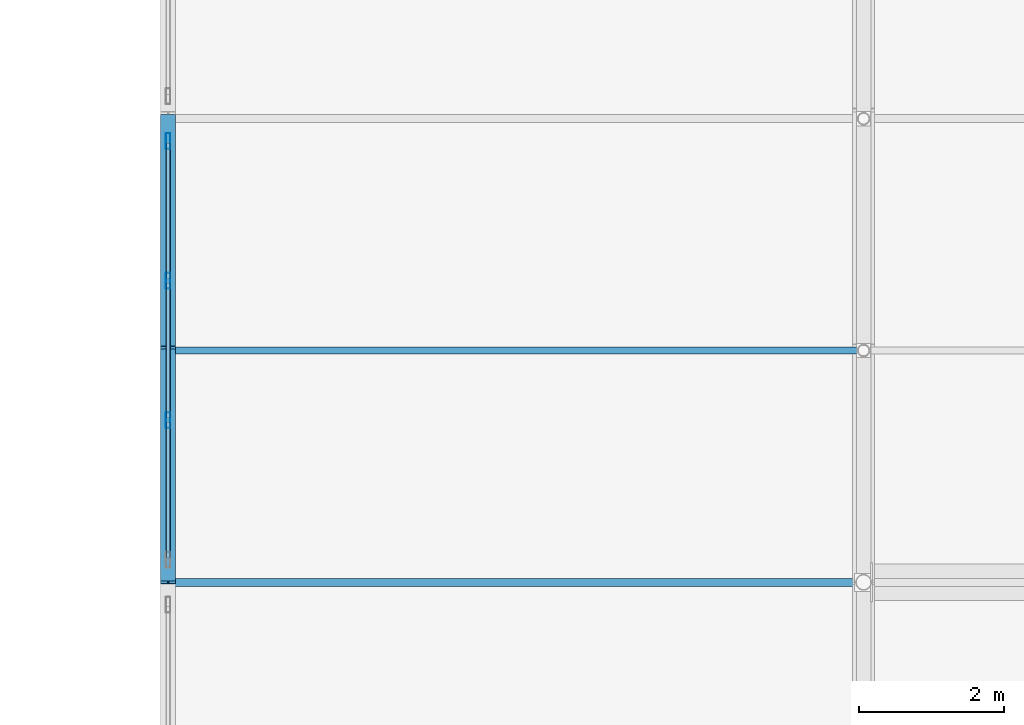
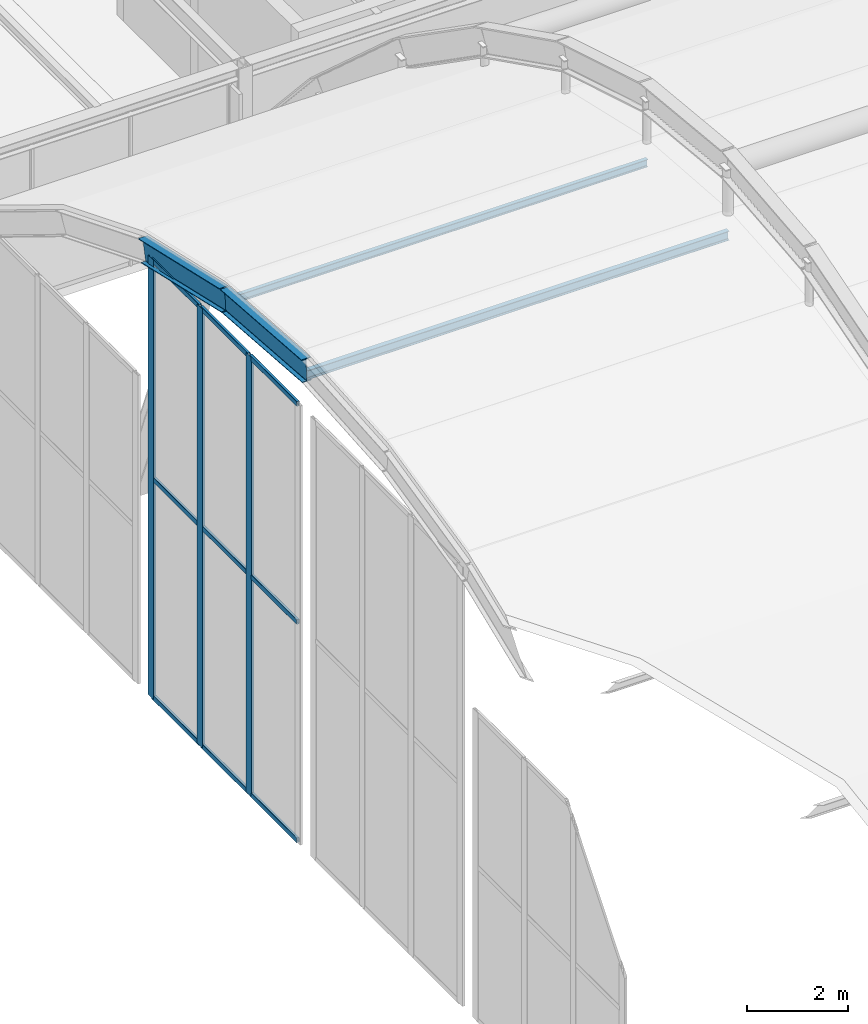
# One storey, part 42 of 126: 14 members, 2 beams, 1 element without a shape of its own.
"""IFC4 building model written with IfcOpenShell, lengths in metres."""

import ifcopenshell
import ifcopenshell.guid

model = None  # the IFC model being written
_history = None  # IfcOwnerHistory: only IFC2X3 demands one
_inside = {}  # id of a spatial element -> (the spatial element, [elements in it])
_under = {}  # id of a project, library or spatial element -> (it, [spatial elements below it])
_declared = {}  # id of a project -> (the project, [libraries it declares])
_typed = {}  # id of a type object -> (the type object, [elements of that type])
_made_of = {}  # id of a material, layer set ... -> (it, [elements and type objects made of it])


def new_model(schema):
    """Start an empty IFC model of exactly this schema.

    Asked for "IFC4X3", IfcOpenShell would pick the latest addendum, in which some entities
    have other attributes; the version numbers below select the first issue.
    IFC2X3 requires an IfcOwnerHistory on every rooted entity: one is made here for all.
    """
    global model, _history
    if schema == "IFC4X3":
        model = ifcopenshell.file(schema_version=(4, 3, 0, 0))
    else:
        model = ifcopenshell.file(schema=schema)
    _inside.clear()
    _under.clear()
    _declared.clear()
    _typed.clear()
    _made_of.clear()
    _history = None
    if model.schema == "IFC2X3":
        org = make("IfcOrganization", Name="unknown")
        user = make(
            "IfcPersonAndOrganization",
            ThePerson=make("IfcPerson", FamilyName="unknown"),
            TheOrganization=org,
        )
        app = make(
            "IfcApplication",
            ApplicationDeveloper=org,
            Version="unknown",
            ApplicationFullName="unknown",
            ApplicationIdentifier="unknown",
        )
        _history = make(
            "IfcOwnerHistory",
            OwningUser=user,
            OwningApplication=app,
            ChangeAction="ADDED",
            CreationDate=0,
        )
    return model


def make(cls, **values):
    """One entity of the class cls with the attributes given. An attribute that is None is left unset."""
    return model.create_entity(
        cls, **{name: value for name, value in values.items() if value is not None}
    )


def rooted(cls, **values):
    """An entity with a GlobalId (a new one), such as an element, a storey or a relation."""
    return make(cls, GlobalId=ifcopenshell.guid.new(), OwnerHistory=_history, **values)


def si_unit(unit_type, name, prefix=None):
    """IfcSIUnit, for example si_unit("LENGTHUNIT", "METRE", prefix="MILLI")."""
    return make("IfcSIUnit", UnitType=unit_type, Prefix=prefix, Name=name)


def assignment(units):
    """IfcUnitAssignment: the units of a project."""
    return None if units is None else make("IfcUnitAssignment", Units=units)


def point(xyz):
    """IfcCartesianPoint."""
    return None if xyz is None else make("IfcCartesianPoint", Coordinates=xyz)


def direction(xyz):
    """IfcDirection."""
    return None if xyz is None else make("IfcDirection", DirectionRatios=xyz)


def frame(location, z_axis=None, x_axis=None):
    """IfcAxis2Placement3D, a coordinate frame: its origin and axes. An axis left out is left unset."""
    return make(
        "IfcAxis2Placement3D",
        Location=point(location),
        Axis=direction(z_axis),
        RefDirection=direction(x_axis),
    )


def frame_2d(location, x_axis=None):
    """IfcAxis2Placement2D, a coordinate frame in the plane: its origin and x axis."""
    return make(
        "IfcAxis2Placement2D", Location=point(location), RefDirection=direction(x_axis)
    )


def origin():
    """The frame at (0, 0, 0) with its axes left unset."""
    return frame((0.0, 0.0, 0.0))


def origin_2d():
    """The frame at (0, 0) in the plane with its x axis left unset."""
    return frame_2d((0.0, 0.0))


def place(relative_to, where):
    """IfcLocalPlacement: puts the frame where relative to a parent placement (None: the world)."""
    return make(
        "IfcLocalPlacement", PlacementRelTo=relative_to, RelativePlacement=where
    )


def context(
    kind, dimensions, precision=None, world=None, true_north=None, identifier=None
):
    """IfcGeometricRepresentationContext, for example the 3D "Model" context."""
    return make(
        "IfcGeometricRepresentationContext",
        ContextIdentifier=identifier,
        ContextType=kind,
        CoordinateSpaceDimension=dimensions,
        Precision=precision,
        WorldCoordinateSystem=world,
        TrueNorth=true_north,
    )


def subcontext(parent, identifier, kind, view, scale=None):
    """IfcGeometricRepresentationSubContext, for example "Body" below "Model"."""
    return make(
        "IfcGeometricRepresentationSubContext",
        ContextIdentifier=identifier,
        ContextType=kind,
        ParentContext=parent,
        TargetScale=scale,
        TargetView=view,
    )


def project(units=None, contexts=None):
    """IfcProject with its units and contexts."""
    return rooted(
        "IfcProject",
        Name="project",
        RepresentationContexts=contexts,
        UnitsInContext=assignment(units),
    )


def spatial(cls, under=None, at=None, **own):
    """A site, building, storey or space (cls), placed at a placement, below another one or the project."""
    s = rooted(cls, ObjectPlacement=at, **own)
    if under is not None:
        _under.setdefault(under.id(), (under, []))[1].append(s)
    return s


def profile(cls, at=None, kind="AREA", **sizes):
    """A parametric profile (cls). Its sizes go by their IFC names, for example OverallWidth=200.0."""
    return make(cls, ProfileType=kind, Position=at, **sizes)


def hollow_rectangle(**sizes):
    """IfcRectangleHollowProfileDef."""
    return profile("IfcRectangleHollowProfileDef", **sizes)


def i_section(**sizes):
    """IfcIShapeProfileDef."""
    return profile("IfcIShapeProfileDef", **sizes)


def extrude(swept, where, along, depth):
    """IfcExtrudedAreaSolid: the profile swept, set in the frame where, extruded along a direction by depth."""
    return make(
        "IfcExtrudedAreaSolid",
        SweptArea=swept,
        Position=where,
        ExtrudedDirection=direction(along),
        Depth=depth,
    )


def shape(context_of_items, identifier, shape_type, items):
    """IfcShapeRepresentation: the items that make up one representation, for example the "Body"."""
    return make(
        "IfcShapeRepresentation",
        ContextOfItems=context_of_items,
        RepresentationIdentifier=identifier,
        RepresentationType=shape_type,
        Items=items,
    )


def material(Name=None, Category=None):
    """IfcMaterial."""
    return make("IfcMaterial", Name=Name, Category=Category)


def material_profile(
    of_material, cross_section, Name=None, Category=None, Priority=None
):
    """IfcMaterialProfile: a cross section and its material."""
    return make(
        "IfcMaterialProfile",
        Name=Name,
        Material=of_material,
        Profile=cross_section,
        Priority=Priority,
        Category=Category,
    )


def profile_set(profiles, Name=None, composite=None):
    """IfcMaterialProfileSet."""
    return make(
        "IfcMaterialProfileSet",
        Name=Name,
        MaterialProfiles=profiles,
        CompositeProfile=composite,
    )


def made_of(thing, what):
    """Note that an element or type object is made of a material, layer set ...; save() writes the relation."""
    if what is not None:
        _made_of.setdefault(what.id(), (what, []))[1].append(thing)
    return thing


def type_object(cls, material=None, **own):
    """A type object (cls), such as IfcWallType, which elements share."""
    return made_of(rooted(cls, **own), material)


def element(
    cls,
    number,
    at=None,
    inside=None,
    cuts=None,
    type_object=None,
    material=None,
    context=None,
    identifier="Body",
    shape_type=None,
    held_by="IfcProductDefinitionShape",
    body=None,
    shapes=None,
    **own,
):
    """One element of the class cls, such as IfcWall. Its Tag is "e" and its number.

    at: its placement. inside: the storey or other place that contains it. cuts: it is an
    opening in that element (IfcRelVoidsElement). A single representation is given by context,
    identifier, shape_type and body (its items); several are given by shapes. held_by: the class
    of the entity that holds the representations. save() writes the other relations.
    """
    e = rooted(cls, Tag="e%d" % number, ObjectPlacement=at, **own)
    if body is not None:
        shapes = [shape(context, identifier, shape_type, body)]
    if shapes is not None:
        e.Representation = make(held_by, Representations=shapes)
    if inside is not None:
        _inside.setdefault(inside.id(), (inside, []))[1].append(e)
    if cuts is not None:
        rooted(
            "IfcRelVoidsElement", RelatingBuildingElement=cuts, RelatedOpeningElement=e
        )
    if type_object is not None:
        _typed.setdefault(type_object.id(), (type_object, []))[1].append(e)
    return made_of(e, material)


def aggregate(whole, parts):
    """IfcRelAggregates: a whole, such as a stair, and the parts it consists of."""
    return rooted("IfcRelAggregates", RelatingObject=whole, RelatedObjects=parts)


def save(model, path):
    """Write the relations noted so far, then the file.

    IfcRelAggregates (storeys below a building ...), IfcRelContainedInSpatialStructure (elements
    in a storey), IfcRelDefinesByType, IfcRelAssociatesMaterial and IfcRelDeclares: one each for
    every whole, place, type object, material and project.
    """
    for whole, parts in _under.values():
        aggregate(whole, parts)
    for where, things in _inside.values():
        rooted(
            "IfcRelContainedInSpatialStructure",
            RelatedElements=things,
            RelatingStructure=where,
        )
    for kind, things in _typed.values():
        rooted("IfcRelDefinesByType", RelatedObjects=things, RelatingType=kind)
    for what, things in _made_of.values():
        rooted("IfcRelAssociatesMaterial", RelatedObjects=things, RelatingMaterial=what)
    for by, libraries in _declared.values():
        rooted("IfcRelDeclares", RelatingContext=by, RelatedDefinitions=libraries)
    model.write(path)


model = new_model("IFC4")

# Units and contexts
model_context = context("Model", 3, precision=1e-05, world=origin(), true_north=direction((0.0, 1.0)))
body_context = subcontext(model_context, "Body", "Model", "MODEL_VIEW")
ifc_project = project(units=[si_unit("LENGTHUNIT", "METRE"), si_unit("AREAUNIT", "SQUARE_METRE"), si_unit("VOLUMEUNIT", "CUBIC_METRE"), si_unit("PLANEANGLEUNIT", "RADIAN"), si_unit("MASSUNIT", "GRAM", prefix="KILO")], contexts=[model_context])

# Site, building, storey
site_placement = place(None, origin())
site = spatial("IfcSite", under=ifc_project, at=site_placement, CompositionType="ELEMENT")
building_placement = place(site_placement, origin())
building = spatial("IfcBuilding", under=site, at=building_placement, Name="Coralgate Yard Interchange", CompositionType="ELEMENT")
storey_placement = place(building_placement, frame((0.0, 0.0, 10.5)))
storey = spatial("IfcBuildingStorey", under=building, at=storey_placement, Name="L02", CompositionType="ELEMENT", Elevation=10.5)

# Beams
ifc_material_1 = material(Name="Weather-coated structural steel S355J2", Category="steel")
ifc_material_profile_1 = material_profile(ifc_material_1, i_section(OverallWidth=0.209228515625, OverallDepth=0.533203125, WebThickness=0.010009765625, FlangeThickness=0.015625, FilletRadius=0.0126953125, at=origin_2d()), Name="UB 533x210x92")
ifc_profile_set_1 = profile_set([ifc_material_profile_1], Name="Weather-coated structural steel S355J2")
beam_type = type_object("IfcBeamType", Name="BM-VR-1", PredefinedType="BEAM", material=ifc_profile_set_1)
beam_1_placement = place(storey_placement, frame((38.39990234375, 57.60009765625, 11.558349609375), z_axis=(0.0, 0.997210788487, -0.074636742466), x_axis=(-1.0, 0.0, 0.0)))
element("IfcBeam", 1, at=beam_1_placement, inside=storey, type_object=beam_type, Name="Barrel-vault gridshell rib 1 seg 7", PredefinedType="BEAM", context=body_context, shape_type="SweptSolid", body=[
    extrude(i_section(OverallWidth=0.209228515625, OverallDepth=0.533203125, WebThickness=0.010009765625, FlangeThickness=0.015625, FilletRadius=0.0126953125, at=origin_2d()), origin(), (0.0, 0.0, 1.0), 3.208984375),
])
beam_2_placement = place(storey_placement, frame((38.39990234375, 60.800048828125, 11.31884765625), z_axis=(0.0, 0.974597563071, -0.223963367664), x_axis=(-1.0, 0.0, 0.0)))
element("IfcBeam", 2, at=beam_2_placement, inside=storey, type_object=beam_type, Name="Barrel-vault gridshell rib 1 seg 8", PredefinedType="BEAM", context=body_context, shape_type="SweptSolid", body=[
    extrude(i_section(OverallWidth=0.209228515625, OverallDepth=0.533203125, WebThickness=0.010009765625, FlangeThickness=0.015625, FilletRadius=0.0126953125, at=origin_2d()), origin(), (0.0, 0.0, 1.0), 3.283447265625),
])

# Curtain wall, members
ifc_material_2 = material(Name="Anodised coastal aluminium and solar-control low-E glass", Category="aluminium")
curtain_wall_type = type_object("IfcCurtainWallType", Name="CW-CW-VLT-3", PredefinedType="NOTDEFINED", material=ifc_material_2)
curtain_wall_placement = place(storey_placement, origin())
curtain_wall = element("IfcCurtainWall", 3, at=curtain_wall_placement, inside=storey, type_object=curtain_wall_type, Name="L02 unitised curtain wall CW-VAULT-W-4", PredefinedType="NOTDEFINED")
ifc_material_3 = material(Name="Anodised coastal aluminium 6063-T6", Category="aluminium")
ifc_material_profile_2 = material_profile(ifc_material_3, hollow_rectangle(XDim=0.06005859375, YDim=0.219970703125, WallThickness=0.00390625, InnerFilletRadius=0.00390625, OuterFilletRadius=0.008056640625, at=origin_2d()), Name="ALU 60x220x4")
ifc_profile_set_2 = profile_set([ifc_material_profile_2], Name="Anodised coastal aluminium 6063-T6")
member_type_1 = type_object("IfcMemberType", Name="MB-MUL-220", PredefinedType="MULLION", material=ifc_profile_set_2)
member_1_placement = place(storey_placement, frame((38.39990234375, 59.836669921875, 0.0), z_axis=(0.0, 0.0, 1.0), x_axis=(1.0, 0.0, 0.0)))
member_1 = element("IfcMember", 4, at=member_1_placement, type_object=member_type_1, Name="CW-VAULT-W-4 vertical mullion 2", PredefinedType="MULLION", context=body_context, shape_type="SweptSolid", body=[
    extrude(hollow_rectangle(XDim=0.06005859375, YDim=0.219970703125, WallThickness=0.00390625, InnerFilletRadius=0.00390625, OuterFilletRadius=0.008056640625, at=origin_2d()), origin(), (0.0, 0.0, 1.0), 10.575927734375),
])
member_2_placement = place(storey_placement, frame((38.39990234375, 61.763427734375, 0.0), z_axis=(0.0, 0.0, 1.0), x_axis=(1.0, 0.0, 0.0)))
member_2 = element("IfcMember", 5, at=member_2_placement, type_object=member_type_1, Name="CW-VAULT-W-4 vertical mullion 3", PredefinedType="MULLION", context=body_context, shape_type="SweptSolid", body=[
    extrude(hollow_rectangle(XDim=0.06005859375, YDim=0.219970703125, WallThickness=0.00390625, InnerFilletRadius=0.00390625, OuterFilletRadius=0.008056640625, at=origin_2d()), origin(), (0.0, 0.0, 1.0), 10.575927734375),
])
member_3_placement = place(storey_placement, frame((38.39990234375, 63.68994140625, 0.0), z_axis=(0.0, 0.0, 1.0), x_axis=(1.0, 0.0, 0.0)))
member_3 = element("IfcMember", 6, at=member_3_placement, type_object=member_type_1, Name="CW-VAULT-W-4 vertical mullion 4", PredefinedType="MULLION", context=body_context, shape_type="SweptSolid", body=[
    extrude(hollow_rectangle(XDim=0.06005859375, YDim=0.219970703125, WallThickness=0.00390625, InnerFilletRadius=0.00390625, OuterFilletRadius=0.008056640625, at=origin_2d()), origin(), (0.0, 0.0, 1.0), 10.575927734375),
])

# Members
ifc_material_profile_3 = material_profile(ifc_material_1, i_section(OverallWidth=0.110107421875, OverallDepth=0.219970703125, WebThickness=0.005859375, FlangeThickness=0.00927734375, FilletRadius=0.011962890625, at=origin_2d()), Name="IPE 220")
ifc_profile_set_3 = profile_set([ifc_material_profile_3], Name="Weather-coated structural steel S355J2")
member_type_2 = type_object("IfcMemberType", Name="MB-PR-1", PredefinedType="PURLIN", material=ifc_profile_set_3)
member_4_placement = place(storey_placement, frame((38.402099609375, 57.60009765625, 11.46484375), z_axis=(1.0, 0.0, 0.0), x_axis=(0.0, 1.0, 0.0)))
element("IfcMember", 7, at=member_4_placement, inside=storey, type_object=member_type_2, Name="Barrel-vault gridshell purlin 1-7", PredefinedType="PURLIN", context=body_context, shape_type="SweptSolid", body=[
    extrude(i_section(OverallWidth=0.110107421875, OverallDepth=0.219970703125, WebThickness=0.005859375, FlangeThickness=0.00927734375, FilletRadius=0.011962890625, at=origin_2d()), origin(), (0.0, 0.0, 1.0), 9.595947265625),
])
ifc_material_4 = material(Name="Off-white architectural structural steel S355J2", Category="steel")
ifc_material_profile_4 = material_profile(ifc_material_4, i_section(OverallWidth=0.091064453125, OverallDepth=0.179931640625, WebThickness=0.00537109375, FlangeThickness=0.008056640625, FilletRadius=0.009033203125, at=origin_2d()), Name="IPE 180")
ifc_profile_set_4 = profile_set([ifc_material_profile_4], Name="Off-white architectural structural steel S355J2")
member_type_3 = type_object("IfcMemberType", Name="MB-PR-2", PredefinedType="PURLIN", material=ifc_profile_set_4)
member_5_placement = place(storey_placement, frame((38.402099609375, 60.800048828125, 11.265380859375), z_axis=(1.0, 0.0, 0.0), x_axis=(0.0, 1.0, 0.0)))
element("IfcMember", 8, at=member_5_placement, inside=storey, type_object=member_type_3, Name="Barrel-vault gridshell purlin 1-8", PredefinedType="PURLIN", context=body_context, shape_type="SweptSolid", body=[
    extrude(i_section(OverallWidth=0.091064453125, OverallDepth=0.179931640625, WebThickness=0.00537109375, FlangeThickness=0.008056640625, FilletRadius=0.009033203125, at=origin_2d()), origin(), (0.0, 0.0, 1.0), 9.595947265625),
])

# Member
ifc_material_profile_5 = material_profile(ifc_material_3, hollow_rectangle(XDim=0.06005859375, YDim=0.1201171875, WallThickness=0.00341796875, InnerFilletRadius=0.00341796875, OuterFilletRadius=0.007080078125, at=origin_2d()), Name="ALU 60x120x3.5")
ifc_profile_set_5 = profile_set([ifc_material_profile_5], Name="Anodised coastal aluminium 6063-T6")
member_type_4 = type_object("IfcMemberType", Name="MB-TRN-120", PredefinedType="USERDEFINED", material=ifc_profile_set_5)
member_6_placement = place(storey_placement, frame((38.39990234375, 57.93994140625, 0.034912109375), z_axis=(0.0, 1.0, 0.0), x_axis=(-1.0, 0.0, 0.0)))
member_6 = element("IfcMember", 9, at=member_6_placement, type_object=member_type_4, Name="CW-VAULT-W-4 horizontal transom 1-1", ObjectType="TRANSOM", PredefinedType="USERDEFINED", context=body_context, shape_type="SweptSolid", body=[
    extrude(hollow_rectangle(XDim=0.06005859375, YDim=0.1201171875, WallThickness=0.00341796875, InnerFilletRadius=0.00341796875, OuterFilletRadius=0.007080078125, at=origin_2d()), origin(), (0.0, 0.0, 1.0), 1.86669921875),
])

member_7_placement = place(storey_placement, frame((38.39990234375, 57.93994140625, 5.2880859375), z_axis=(0.0, 1.0, 0.0), x_axis=(-1.0, 0.0, 0.0)))
member_7 = element("IfcMember", 10, at=member_7_placement, type_object=member_type_4, Name="CW-VAULT-W-4 horizontal transom 1-2", ObjectType="TRANSOM", PredefinedType="USERDEFINED", context=body_context, shape_type="SweptSolid", body=[
    extrude(hollow_rectangle(XDim=0.06005859375, YDim=0.1201171875, WallThickness=0.00341796875, InnerFilletRadius=0.00341796875, OuterFilletRadius=0.007080078125, at=origin_2d()), origin(), (0.0, 0.0, 1.0), 1.86669921875),
])

member_8_placement = place(storey_placement, frame((38.39990234375, 57.93994140625, 10.541015625), z_axis=(0.0, 1.0, 0.0), x_axis=(-1.0, 0.0, 0.0)))
member_8 = element("IfcMember", 11, at=member_8_placement, type_object=member_type_4, Name="CW-VAULT-W-4 horizontal transom 1-3", ObjectType="TRANSOM", PredefinedType="USERDEFINED", context=body_context, shape_type="SweptSolid", body=[
    extrude(hollow_rectangle(XDim=0.06005859375, YDim=0.1201171875, WallThickness=0.00341796875, InnerFilletRadius=0.00341796875, OuterFilletRadius=0.007080078125, at=origin_2d()), origin(), (0.0, 0.0, 1.0), 1.86669921875),
])

member_9_placement = place(storey_placement, frame((38.39990234375, 59.86669921875, 0.034912109375), z_axis=(0.0, 1.0, 0.0), x_axis=(-1.0, 0.0, 0.0)))
member_9 = element("IfcMember", 12, at=member_9_placement, type_object=member_type_4, Name="CW-VAULT-W-4 horizontal transom 2-1", ObjectType="TRANSOM", PredefinedType="USERDEFINED", context=body_context, shape_type="SweptSolid", body=[
    extrude(hollow_rectangle(XDim=0.06005859375, YDim=0.1201171875, WallThickness=0.00341796875, InnerFilletRadius=0.00341796875, OuterFilletRadius=0.007080078125, at=origin_2d()), origin(), (0.0, 0.0, 1.0), 1.86669921875),
])

member_10_placement = place(storey_placement, frame((38.39990234375, 59.86669921875, 5.2880859375), z_axis=(0.0, 1.0, 0.0), x_axis=(-1.0, 0.0, 0.0)))
member_10 = element("IfcMember", 13, at=member_10_placement, type_object=member_type_4, Name="CW-VAULT-W-4 horizontal transom 2-2", ObjectType="TRANSOM", PredefinedType="USERDEFINED", context=body_context, shape_type="SweptSolid", body=[
    extrude(hollow_rectangle(XDim=0.06005859375, YDim=0.1201171875, WallThickness=0.00341796875, InnerFilletRadius=0.00341796875, OuterFilletRadius=0.007080078125, at=origin_2d()), origin(), (0.0, 0.0, 1.0), 1.86669921875),
])

member_11_placement = place(storey_placement, frame((38.39990234375, 59.86669921875, 10.541015625), z_axis=(0.0, 1.0, 0.0), x_axis=(-1.0, 0.0, 0.0)))
member_11 = element("IfcMember", 14, at=member_11_placement, type_object=member_type_4, Name="CW-VAULT-W-4 horizontal transom 2-3", ObjectType="TRANSOM", PredefinedType="USERDEFINED", context=body_context, shape_type="SweptSolid", body=[
    extrude(hollow_rectangle(XDim=0.06005859375, YDim=0.1201171875, WallThickness=0.00341796875, InnerFilletRadius=0.00341796875, OuterFilletRadius=0.007080078125, at=origin_2d()), origin(), (0.0, 0.0, 1.0), 1.86669921875),
])

member_12_placement = place(storey_placement, frame((38.39990234375, 61.793212890625, 0.034912109375), z_axis=(0.0, 1.0, 0.0), x_axis=(-1.0, 0.0, 0.0)))
member_12 = element("IfcMember", 15, at=member_12_placement, type_object=member_type_4, Name="CW-VAULT-W-4 horizontal transom 3-1", ObjectType="TRANSOM", PredefinedType="USERDEFINED", context=body_context, shape_type="SweptSolid", body=[
    extrude(hollow_rectangle(XDim=0.06005859375, YDim=0.1201171875, WallThickness=0.00341796875, InnerFilletRadius=0.00341796875, OuterFilletRadius=0.007080078125, at=origin_2d()), origin(), (0.0, 0.0, 1.0), 1.86669921875),
])

member_13_placement = place(storey_placement, frame((38.39990234375, 61.793212890625, 5.2880859375), z_axis=(0.0, 1.0, 0.0), x_axis=(-1.0, 0.0, 0.0)))
member_13 = element("IfcMember", 16, at=member_13_placement, type_object=member_type_4, Name="CW-VAULT-W-4 horizontal transom 3-2", ObjectType="TRANSOM", PredefinedType="USERDEFINED", context=body_context, shape_type="SweptSolid", body=[
    extrude(hollow_rectangle(XDim=0.06005859375, YDim=0.1201171875, WallThickness=0.00341796875, InnerFilletRadius=0.00341796875, OuterFilletRadius=0.007080078125, at=origin_2d()), origin(), (0.0, 0.0, 1.0), 1.86669921875),
])

member_14_placement = place(storey_placement, frame((38.39990234375, 61.793212890625, 10.541015625), z_axis=(0.0, 1.0, 0.0), x_axis=(-1.0, 0.0, 0.0)))
member_14 = element("IfcMember", 17, at=member_14_placement, type_object=member_type_4, Name="CW-VAULT-W-4 horizontal transom 3-3", ObjectType="TRANSOM", PredefinedType="USERDEFINED", context=body_context, shape_type="SweptSolid", body=[
    extrude(hollow_rectangle(XDim=0.06005859375, YDim=0.1201171875, WallThickness=0.00341796875, InnerFilletRadius=0.00341796875, OuterFilletRadius=0.007080078125, at=origin_2d()), origin(), (0.0, 0.0, 1.0), 1.86669921875),
])

aggregate(curtain_wall, [member_1, member_2, member_3, member_6, member_7, member_8, member_9, member_10, member_11, member_12, member_13, member_14])

save(model, "model.ifc")
